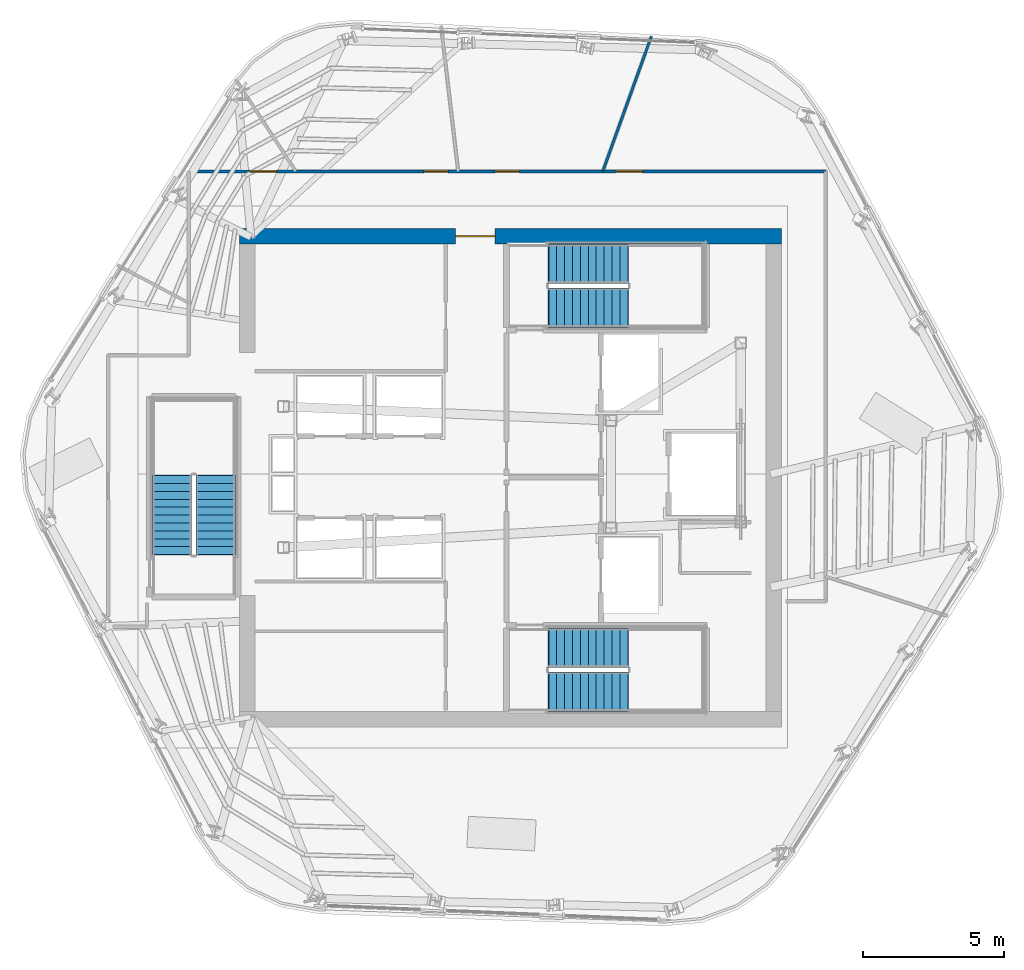
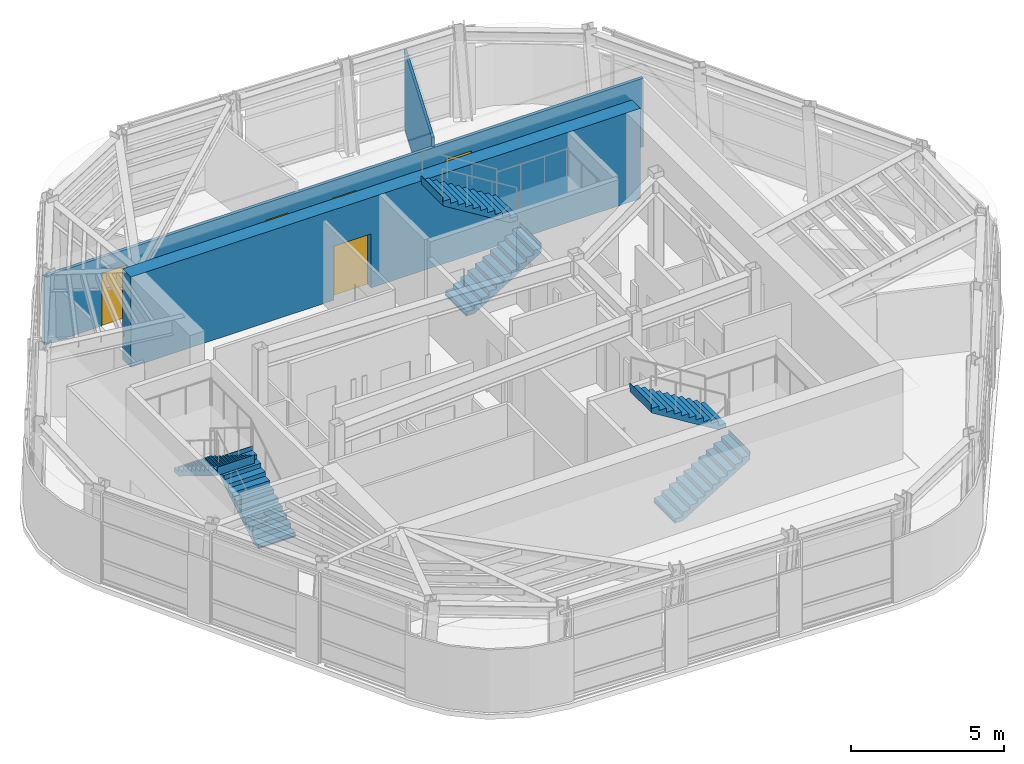
# One storey, part 8 of 13: 6 stair flights, 5 doors, 3 walls, 5 openings, 3 elements without a shape of their own.
"""IFC4 building model written with IfcOpenShell, lengths in metres."""

from ifc_helpers import new_model, si_unit, direction, frame, frame_2d, origin, place, context, subcontext, project, spatial, polyline, rectangle, outline, extrude, material, layer, layer_set, type_object, element, fill, aggregate, save


model = new_model("IFC4")

# Units and contexts
model_context = context("Model", 3, precision=1e-05, world=origin(), true_north=direction((0.0, 1.0)))
body_context = subcontext(model_context, "Body", "Model", "MODEL_VIEW")
ifc_project = project(units=[si_unit("LENGTHUNIT", "METRE"), si_unit("AREAUNIT", "SQUARE_METRE"), si_unit("VOLUMEUNIT", "CUBIC_METRE"), si_unit("PLANEANGLEUNIT", "RADIAN"), si_unit("MASSUNIT", "GRAM", prefix="KILO")], contexts=[model_context])

# Site, building, storey
site_placement = place(None, origin())
site = spatial("IfcSite", under=ifc_project, at=site_placement, CompositionType="ELEMENT")
building_placement = place(site_placement, origin())
building = spatial("IfcBuilding", under=site, at=building_placement, Name="Valkerne Bourse Tower", CompositionType="ELEMENT")
storey_placement = place(building_placement, frame((0.0, 0.0, 273.60009765625)))
storey = spatial("IfcBuildingStorey", under=building, at=storey_placement, Name="L69", CompositionType="ELEMENT", Elevation=273.60009765625)

# Wall, opening, door
ifc_material_1 = material(Name="Concrete C55/67", Category="concrete")
ifc_layer_1 = layer(ifc_material_1, 0.550048828125)
ifc_layer_set_1 = layer_set([ifc_layer_1], Name="Concrete C55/67")
wall_type_1 = type_object("IfcWallType", Name="W-CORE-550", PredefinedType="SHEAR", material=ifc_layer_set_1)
wall_1_placement = place(storey_placement, frame((37.199951171875, 35.425048828125, 0.0), z_axis=(0.0, 0.0, 1.0), x_axis=(1.0, 0.0, 0.0)))
wall_1 = element("IfcWall", 1, at=wall_1_placement, inside=storey, type_object=wall_type_1, Name="L69 Core Shear Wall NORTH", PredefinedType="SHEAR", context=body_context, shape_type="SweptSolid", body=[
    extrude(rectangle(XDim=19.199951171875, YDim=0.550048828125, at=frame_2d((9.60009765625, 0.0))), origin(), (0.0, 0.0, 1.0), 3.599853515625),
])
opening_1_placement = place(wall_1_placement, frame((7.64990234375, 0.0, 0.0)))
opening_1 = element("IfcOpeningElement", 2, at=opening_1_placement, cuts=wall_1, Name="Opening D-PL-1400", PredefinedType="OPENING", context=body_context, shape_type="SweptSolid", body=[
    extrude(rectangle(XDim=1.39990234375, YDim=2.14990234375, at=frame_2d((0.699951171875, 1.074951171875))), frame((0.0, 0.284912109375, 0.0), z_axis=(0.0, -1.0, 0.0), x_axis=(1.0, 0.0, 0.0)), (0.0, 0.0, 1.0), 0.570068359375),
])
ifc_material_2 = material(Name="Galvanised Painted Steel", Category="steel")
door_type_1 = type_object("IfcDoorType", Name="DR-PLT-1400", OperationType="DOUBLE_DOOR_SINGLE_SWING", PredefinedType="DOOR", material=ifc_material_2)
door_1_placement = place(opening_1_placement, origin())
door_1 = element("IfcDoor", 3, at=door_1_placement, inside=storey, type_object=door_type_1, Name="L69 North Passenger Lift Hall Fire Door", OperationType="DOUBLE_DOOR_SINGLE_SWING", OverallHeight=2.14990234375, OverallWidth=1.39990234375, PredefinedType="DOOR", context=body_context, shape_type="SweptSolid", body=[
    extrude(rectangle(XDim=1.39990234375, YDim=2.14990234375, at=frame_2d((0.699951171875, 1.074951171875))), frame((0.0, 0.02490234375, 0.0), z_axis=(0.0, -1.0, 0.0), x_axis=(1.0, 0.0, 0.0)), (0.0, 0.0, 1.0), 0.050048828125),
])
fill(opening_1, door_1)

# Wall, openings, doors
ifc_material_3 = material(Name="Gypsum Board Steel-Stud Partition", Category="steel")
ifc_layer_2 = layer(ifc_material_3, 0.117919921875)
ifc_layer_set_2 = layer_set([ifc_layer_2], Name="Gypsum Board Steel-Stud Partition")
wall_type_2 = type_object("IfcWallType", Name="W-CORR-140", PredefinedType="PARTITIONING", material=ifc_layer_set_2)
wall_2_placement = place(storey_placement, frame((35.39990234375, 37.719970703125, 0.0), z_axis=(0.0, 0.0, 1.0), x_axis=(1.0, 0.0, 0.0)))
wall_2 = element("IfcWall", 4, at=wall_2_placement, inside=storey, type_object=wall_type_2, Name="L69 Corridor Enclosure Wall", PredefinedType="PARTITIONING", context=body_context, shape_type="SweptSolid", body=[
    extrude(rectangle(XDim=22.550048828125, YDim=0.117919921875, at=frame_2d((11.27490234375, 0.0))), origin(), (0.0, 0.0, 1.0), 2.731201171875),
])
opening_2_placement = place(wall_2_placement, frame((10.844970703125, 0.0, 0.0)))
opening_2 = element("IfcOpeningElement", 5, at=opening_2_placement, cuts=wall_2, Name="Opening D-WC-900", PredefinedType="OPENING", context=body_context, shape_type="SweptSolid", body=[
    extrude(rectangle(XDim=0.860107421875, YDim=2.050048828125, at=frame_2d((0.43017578125, 1.02490234375))), frame((0.0, 0.06884765625, 0.0), z_axis=(0.0, -1.0, 0.0), x_axis=(1.0, 0.0, 0.0)), (0.0, 0.0, 1.0), 0.137939453125),
])
opening_3_placement = place(wall_2_placement, frame((8.324951171875, 0.0, 0.0)))
opening_3 = element("IfcOpeningElement", 6, at=opening_3_placement, cuts=wall_2, Name="Opening D-WC-900", PredefinedType="OPENING", context=body_context, shape_type="SweptSolid", body=[
    extrude(rectangle(XDim=0.860107421875, YDim=2.050048828125, at=frame_2d((0.43017578125, 1.02490234375))), frame((0.0, 0.06884765625, 0.0), z_axis=(0.0, -1.0, 0.0), x_axis=(1.0, 0.0, 0.0)), (0.0, 0.0, 1.0), 0.137939453125),
])
opening_4_placement = place(wall_2_placement, frame((2.159912109375, 0.0, 0.0)))
opening_4 = element("IfcOpeningElement", 7, at=opening_4_placement, cuts=wall_2, Name="Opening D-OF-950", PredefinedType="OPENING", context=body_context, shape_type="SweptSolid", body=[
    extrude(rectangle(XDim=0.949951171875, YDim=2.10009765625, at=frame_2d((0.47509765625, 1.050048828125))), frame((0.0, 0.06884765625, 0.0), z_axis=(0.0, -1.0, 0.0), x_axis=(1.0, 0.0, 0.0)), (0.0, 0.0, 1.0), 0.137939453125),
])
opening_5_placement = place(wall_2_placement, frame((15.1201171875, 0.0, 0.0)))
opening_5 = element("IfcOpeningElement", 8, at=opening_5_placement, cuts=wall_2, Name="Opening D-OF-950", PredefinedType="OPENING", context=body_context, shape_type="SweptSolid", body=[
    extrude(rectangle(XDim=0.949951171875, YDim=2.10009765625, at=frame_2d((0.47509765625, 1.050048828125))), frame((0.0, 0.06884765625, 0.0), z_axis=(0.0, -1.0, 0.0), x_axis=(1.0, 0.0, 0.0)), (0.0, 0.0, 1.0), 0.137939453125),
])
ifc_material_4 = material(Name="Architectural White Oak Timber", Category="wood")
door_type_2 = type_object("IfcDoorType", Name="DR-OFF-950", OperationType="NOTDEFINED", PredefinedType="DOOR", material=ifc_material_4)
door_2_placement = place(opening_4_placement, origin())
door_2 = element("IfcDoor", 9, at=door_2_placement, inside=storey, type_object=door_type_2, Name="L69 L69 Executive Advisory Suite Office 3 Door", OperationType="SINGLE_SWING_LEFT", OverallHeight=2.10009765625, OverallWidth=0.949951171875, PredefinedType="DOOR", context=body_context, shape_type="SweptSolid", body=[
    extrude(rectangle(XDim=0.949951171875, YDim=2.10009765625, at=frame_2d((0.47509765625, 1.050048828125))), frame((0.0, 0.02490234375, 0.0), z_axis=(0.0, -1.0, 0.0), x_axis=(1.0, 0.0, 0.0)), (0.0, 0.0, 1.0), 0.050048828125),
])
fill(opening_4, door_2)
door_3_placement = place(opening_5_placement, origin())
door_3 = element("IfcDoor", 10, at=door_3_placement, inside=storey, type_object=door_type_2, Name="L69 L69 Executive Advisory Suite Office 4 Door", OperationType="SINGLE_SWING_LEFT", OverallHeight=2.10009765625, OverallWidth=0.949951171875, PredefinedType="DOOR", context=body_context, shape_type="SweptSolid", body=[
    extrude(rectangle(XDim=0.949951171875, YDim=2.10009765625, at=frame_2d((0.47509765625, 1.050048828125))), frame((0.0, 0.02490234375, 0.0), z_axis=(0.0, -1.0, 0.0), x_axis=(1.0, 0.0, 0.0)), (0.0, 0.0, 1.0), 0.050048828125),
])
fill(opening_5, door_3)
door_type_3 = type_object("IfcDoorType", Name="DR-WC-900", OperationType="NOTDEFINED", PredefinedType="DOOR", material=ifc_material_4)
door_4_placement = place(opening_2_placement, origin())
door_4 = element("IfcDoor", 11, at=door_4_placement, inside=storey, type_object=door_type_3, Name="L69 L69 Men Bathroom WC 1 Door", OperationType="SINGLE_SWING_LEFT", OverallHeight=2.050048828125, OverallWidth=0.860107421875, PredefinedType="DOOR", context=body_context, shape_type="SweptSolid", body=[
    extrude(rectangle(XDim=0.860107421875, YDim=2.050048828125, at=frame_2d((0.43017578125, 1.02490234375))), frame((0.0, 0.02490234375, 0.0), z_axis=(0.0, -1.0, 0.0), x_axis=(1.0, 0.0, 0.0)), (0.0, 0.0, 1.0), 0.050048828125),
])
fill(opening_2, door_4)
door_5_placement = place(opening_3_placement, origin())
door_5 = element("IfcDoor", 12, at=door_5_placement, inside=storey, type_object=door_type_3, Name="L69 L69 Women Restroom & Shower WC 2 Door", OperationType="SINGLE_SWING_LEFT", OverallHeight=2.050048828125, OverallWidth=0.860107421875, PredefinedType="DOOR", context=body_context, shape_type="SweptSolid", body=[
    extrude(rectangle(XDim=0.860107421875, YDim=2.050048828125, at=frame_2d((0.43017578125, 1.02490234375))), frame((0.0, 0.02490234375, 0.0), z_axis=(0.0, -1.0, 0.0), x_axis=(1.0, 0.0, 0.0)), (0.0, 0.0, 1.0), 0.050048828125),
])
fill(opening_3, door_5)

# Wall
ifc_layer_3 = layer(ifc_material_3, 0.092041015625)
ifc_layer_set_3 = layer_set([ifc_layer_3], Name="Gypsum Board Steel-Stud Partition")
wall_type_3 = type_object("IfcWallType", Name="W-PART-115", PredefinedType="PARTITIONING", material=ifc_layer_set_3)
wall_3_placement = place(storey_placement, frame((50.061279296875, 37.72509765625, 0.0), z_axis=(0.0, 0.0, 1.0), x_axis=(0.338714366552, 0.940889248473, 0.0)))
element("IfcWall", 13, at=wall_3_placement, inside=storey, type_object=wall_type_3, Name="L69 Suite Partition P01", PredefinedType="PARTITIONING", context=body_context, shape_type="SweptSolid", body=[
    extrude(rectangle(XDim=5.083740234375, YDim=0.092041015625, at=frame_2d((2.5419921875, 0.0))), origin(), (0.0, 0.0, 1.0), 3.114990234375),
])

# Stair, stair flights
ifc_material_5 = material(Name="Concrete C40/50", Category="concrete")
stair_type = type_object("IfcStairType", Name="ST-CORE-1400", PredefinedType="HALF_TURN_STAIR", material=ifc_material_5)
stair_1_placement = place(storey_placement, origin())
stair_1 = element("IfcStair", 14, at=stair_1_placement, inside=storey, type_object=stair_type, Name="L69 ST-1", PredefinedType="HALF_TURN_STAIR")
stair_flight_type = type_object("IfcStairFlightType", Name="STF-CORE-1400", PredefinedType="STRAIGHT", material=ifc_material_5)
stair_flight_1_placement = place(storey_placement, frame((48.14990234375, 19.300048828125, 0.0), z_axis=(0.0, 0.0, 1.0), x_axis=(1.0, 0.0, 0.0)))
stair_flight_1 = element("IfcStairFlight", 15, at=stair_flight_1_placement, type_object=stair_flight_type, Name="ST-1 flight 1", NumberOfRisers=11, NumberOfTreads=10, PredefinedType="STRAIGHT", RiserHeight=0.172727273, TreadLength=0.28, context=body_context, shape_type="SweptSolid", body=[
    extrude(outline(polyline([(-0.02001953125, 0.0), (-0.02001953125, 0.044921875), (0.0, 0.044921875), (0.0, 0.172607421875), (0.280029296875, 0.172607421875), (0.280029296875, 0.345458984375), (0.56005859375, 0.345458984375), (0.56005859375, 0.51806640625), (0.840087890625, 0.51806640625), (0.840087890625, 0.69091796875), (1.1201171875, 0.69091796875), (1.1201171875, 0.863525390625), (1.39990234375, 0.863525390625), (1.39990234375, 1.036376953125), (1.679931640625, 1.036376953125), (1.679931640625, 1.208984375), (1.9599609375, 1.208984375), (1.9599609375, 1.3818359375), (2.239990234375, 1.3818359375), (2.239990234375, 1.554443359375), (2.52001953125, 1.554443359375), (2.52001953125, 1.727294921875), (2.800048828125, 1.727294921875), (2.800048828125, 1.89990234375), (2.820068359375, 1.89990234375), (2.820068359375, 1.780029296875), (2.800048828125, 1.551025390625), (0.285400390625, 0.0), (-0.02001953125, 0.0)])), frame((0.0, 0.699951171875, 0.0), z_axis=(0.0, -1.0, 0.0), x_axis=(1.0, 0.0, 0.0)), (0.0, 0.0, 1.0), 1.39990234375),
])
stair_flight_2_placement = place(storey_placement, frame((50.949951171875, 20.85009765625, 1.89990234375), z_axis=(0.0, 0.0, 1.0), x_axis=(-1.0, 0.0, 0.0)))
stair_flight_2 = element("IfcStairFlight", 16, at=stair_flight_2_placement, type_object=stair_flight_type, Name="ST-1 flight 2", NumberOfRisers=11, NumberOfTreads=10, PredefinedType="STRAIGHT", RiserHeight=0.172727273, TreadLength=0.28, context=body_context, shape_type="SweptSolid", body=[
    extrude(outline(polyline([(-0.02001953125, 0.0), (-0.02001953125, 0.044921875), (0.0, 0.044921875), (0.0, 0.172607421875), (0.280029296875, 0.172607421875), (0.280029296875, 0.345458984375), (0.56005859375, 0.345458984375), (0.56005859375, 0.51806640625), (0.840087890625, 0.51806640625), (0.840087890625, 0.69091796875), (1.1201171875, 0.69091796875), (1.1201171875, 0.863525390625), (1.39990234375, 0.863525390625), (1.39990234375, 1.036376953125), (1.679931640625, 1.036376953125), (1.679931640625, 1.208984375), (1.9599609375, 1.208984375), (1.9599609375, 1.3818359375), (2.239990234375, 1.3818359375), (2.239990234375, 1.554443359375), (2.52001953125, 1.554443359375), (2.52001953125, 1.727294921875), (2.800048828125, 1.727294921875), (2.800048828125, 1.89990234375), (2.820068359375, 1.89990234375), (2.820068359375, 1.780029296875), (2.800048828125, 1.551025390625), (0.285400390625, 0.0), (-0.02001953125, 0.0)])), frame((0.0, 0.699951171875, 0.0), z_axis=(0.0, -1.0, 0.0), x_axis=(1.0, 0.0, 0.0)), (0.0, 0.0, 1.0), 1.39990234375),
])
aggregate(stair_1, [stair_flight_1, stair_flight_2])

stair_2_placement = place(storey_placement, origin())
stair_2 = element("IfcStair", 17, at=stair_2_placement, inside=storey, type_object=stair_type, Name="L69 ST-2", PredefinedType="HALF_TURN_STAIR")
stair_flight_3_placement = place(storey_placement, frame((48.14990234375, 32.89990234375, 0.0), z_axis=(0.0, 0.0, 1.0), x_axis=(1.0, 0.0, 0.0)))
stair_flight_3 = element("IfcStairFlight", 18, at=stair_flight_3_placement, type_object=stair_flight_type, Name="ST-2 flight 1", NumberOfRisers=11, NumberOfTreads=10, PredefinedType="STRAIGHT", RiserHeight=0.172727273, TreadLength=0.28, context=body_context, shape_type="SweptSolid", body=[
    extrude(outline(polyline([(-0.02001953125, 0.0), (-0.02001953125, 0.044921875), (0.0, 0.044921875), (0.0, 0.172607421875), (0.280029296875, 0.172607421875), (0.280029296875, 0.345458984375), (0.56005859375, 0.345458984375), (0.56005859375, 0.51806640625), (0.840087890625, 0.51806640625), (0.840087890625, 0.69091796875), (1.1201171875, 0.69091796875), (1.1201171875, 0.863525390625), (1.39990234375, 0.863525390625), (1.39990234375, 1.036376953125), (1.679931640625, 1.036376953125), (1.679931640625, 1.208984375), (1.9599609375, 1.208984375), (1.9599609375, 1.3818359375), (2.239990234375, 1.3818359375), (2.239990234375, 1.554443359375), (2.52001953125, 1.554443359375), (2.52001953125, 1.727294921875), (2.800048828125, 1.727294921875), (2.800048828125, 1.89990234375), (2.820068359375, 1.89990234375), (2.820068359375, 1.780029296875), (2.800048828125, 1.551025390625), (0.285400390625, 0.0), (-0.02001953125, 0.0)])), frame((0.0, 0.699951171875, 0.0), z_axis=(0.0, -1.0, 0.0), x_axis=(1.0, 0.0, 0.0)), (0.0, 0.0, 1.0), 1.39990234375),
])
stair_flight_4_placement = place(storey_placement, frame((50.949951171875, 34.449951171875, 1.89990234375), z_axis=(0.0, 0.0, 1.0), x_axis=(-1.0, 0.0, 0.0)))
stair_flight_4 = element("IfcStairFlight", 19, at=stair_flight_4_placement, type_object=stair_flight_type, Name="ST-2 flight 2", NumberOfRisers=11, NumberOfTreads=10, PredefinedType="STRAIGHT", RiserHeight=0.172727273, TreadLength=0.28, context=body_context, shape_type="SweptSolid", body=[
    extrude(outline(polyline([(-0.02001953125, 0.0), (-0.02001953125, 0.044921875), (0.0, 0.044921875), (0.0, 0.172607421875), (0.280029296875, 0.172607421875), (0.280029296875, 0.345458984375), (0.56005859375, 0.345458984375), (0.56005859375, 0.51806640625), (0.840087890625, 0.51806640625), (0.840087890625, 0.69091796875), (1.1201171875, 0.69091796875), (1.1201171875, 0.863525390625), (1.39990234375, 0.863525390625), (1.39990234375, 1.036376953125), (1.679931640625, 1.036376953125), (1.679931640625, 1.208984375), (1.9599609375, 1.208984375), (1.9599609375, 1.3818359375), (2.239990234375, 1.3818359375), (2.239990234375, 1.554443359375), (2.52001953125, 1.554443359375), (2.52001953125, 1.727294921875), (2.800048828125, 1.727294921875), (2.800048828125, 1.89990234375), (2.820068359375, 1.89990234375), (2.820068359375, 1.780029296875), (2.800048828125, 1.551025390625), (0.285400390625, 0.0), (-0.02001953125, 0.0)])), frame((0.0, 0.699951171875, 0.0), z_axis=(0.0, -1.0, 0.0), x_axis=(1.0, 0.0, 0.0)), (0.0, 0.0, 1.0), 1.39990234375),
])
aggregate(stair_2, [stair_flight_3, stair_flight_4])

stair_3_placement = place(storey_placement, origin())
stair_3 = element("IfcStair", 20, at=stair_3_placement, inside=storey, type_object=stair_type, Name="L69 ST-3", PredefinedType="HALF_TURN_STAIR")
stair_flight_5_placement = place(storey_placement, frame((36.35009765625, 24.14990234375, 0.0), z_axis=(0.0, 0.0, 1.0), x_axis=(0.0, 1.0, 0.0)))
stair_flight_5 = element("IfcStairFlight", 21, at=stair_flight_5_placement, type_object=stair_flight_type, Name="ST-3 flight 1", NumberOfRisers=11, NumberOfTreads=10, PredefinedType="STRAIGHT", RiserHeight=0.172727273, TreadLength=0.28, context=body_context, shape_type="SweptSolid", body=[
    extrude(outline(polyline([(-0.02001953125, 0.0), (-0.02001953125, 0.044921875), (0.0, 0.044921875), (0.0, 0.172607421875), (0.280029296875, 0.172607421875), (0.280029296875, 0.345458984375), (0.56005859375, 0.345458984375), (0.56005859375, 0.51806640625), (0.840087890625, 0.51806640625), (0.840087890625, 0.69091796875), (1.1201171875, 0.69091796875), (1.1201171875, 0.863525390625), (1.39990234375, 0.863525390625), (1.39990234375, 1.036376953125), (1.679931640625, 1.036376953125), (1.679931640625, 1.208984375), (1.9599609375, 1.208984375), (1.9599609375, 1.3818359375), (2.239990234375, 1.3818359375), (2.239990234375, 1.554443359375), (2.52001953125, 1.554443359375), (2.52001953125, 1.727294921875), (2.800048828125, 1.727294921875), (2.800048828125, 1.89990234375), (2.820068359375, 1.89990234375), (2.820068359375, 1.780029296875), (2.800048828125, 1.551025390625), (0.285400390625, 0.0), (-0.02001953125, 0.0)])), frame((0.0, 0.699951171875, 0.0), z_axis=(0.0, -1.0, 0.0), x_axis=(1.0, 0.0, 0.0)), (0.0, 0.0, 1.0), 1.39990234375),
])
stair_flight_6_placement = place(storey_placement, frame((34.800048828125, 26.949951171875, 1.89990234375), z_axis=(0.0, 0.0, 1.0), x_axis=(0.0, -1.0, 0.0)))
stair_flight_6 = element("IfcStairFlight", 22, at=stair_flight_6_placement, type_object=stair_flight_type, Name="ST-3 flight 2", NumberOfRisers=11, NumberOfTreads=10, PredefinedType="STRAIGHT", RiserHeight=0.172727273, TreadLength=0.28, context=body_context, shape_type="SweptSolid", body=[
    extrude(outline(polyline([(-0.02001953125, 0.0), (-0.02001953125, 0.044921875), (0.0, 0.044921875), (0.0, 0.172607421875), (0.280029296875, 0.172607421875), (0.280029296875, 0.345458984375), (0.56005859375, 0.345458984375), (0.56005859375, 0.51806640625), (0.840087890625, 0.51806640625), (0.840087890625, 0.69091796875), (1.1201171875, 0.69091796875), (1.1201171875, 0.863525390625), (1.39990234375, 0.863525390625), (1.39990234375, 1.036376953125), (1.679931640625, 1.036376953125), (1.679931640625, 1.208984375), (1.9599609375, 1.208984375), (1.9599609375, 1.3818359375), (2.239990234375, 1.3818359375), (2.239990234375, 1.554443359375), (2.52001953125, 1.554443359375), (2.52001953125, 1.727294921875), (2.800048828125, 1.727294921875), (2.800048828125, 1.89990234375), (2.820068359375, 1.89990234375), (2.820068359375, 1.780029296875), (2.800048828125, 1.551025390625), (0.285400390625, 0.0), (-0.02001953125, 0.0)])), frame((0.0, 0.699951171875, 0.0), z_axis=(0.0, -1.0, 0.0), x_axis=(1.0, 0.0, 0.0)), (0.0, 0.0, 1.0), 1.39990234375),
])
aggregate(stair_3, [stair_flight_5, stair_flight_6])

save(model, "model.ifc")
